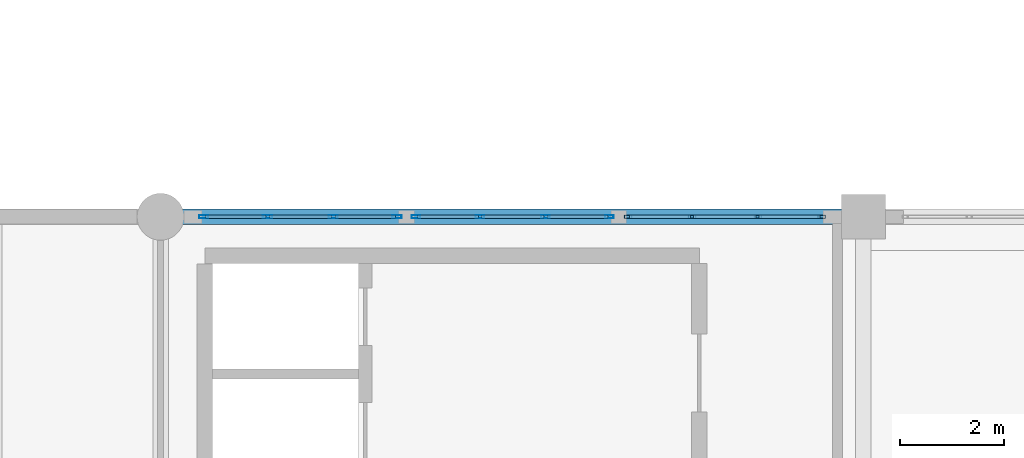
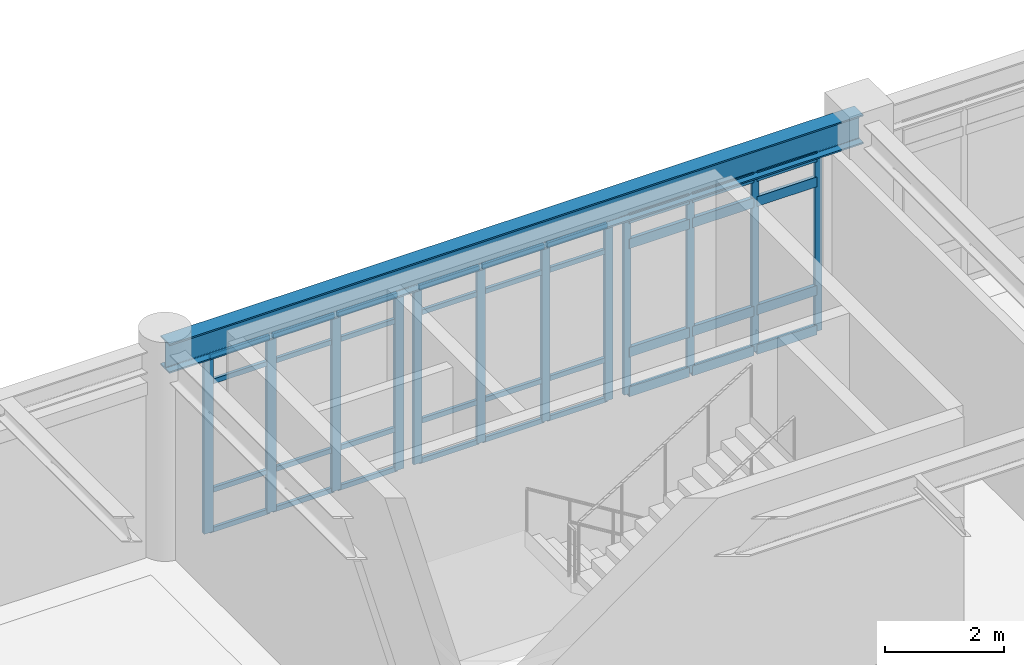
# One storey, part 9 of 55: 48 members, 1 beam, 3 elements without a shape of their own.
"""IFC4 building model written with IfcOpenShell, lengths in metres."""

from ifc_helpers import new_model, si_unit, direction, frame, origin, origin_2d, place, context, subcontext, project, spatial, hollow_rectangle, i_section, extrude, material, layer, layer_set, material_profile, profile_set, type_object, element, aggregate, save


model = new_model("IFC4")

# Units and contexts
model_context = context("Model", 3, precision=1e-05, world=origin(), true_north=direction((0.0, 1.0)))
body_context = subcontext(model_context, "Body", "Model", "MODEL_VIEW")
ifc_project = project(units=[si_unit("LENGTHUNIT", "METRE"), si_unit("AREAUNIT", "SQUARE_METRE"), si_unit("VOLUMEUNIT", "CUBIC_METRE"), si_unit("PLANEANGLEUNIT", "RADIAN"), si_unit("MASSUNIT", "GRAM", prefix="KILO")], contexts=[model_context])

# Site, building, storey
site_placement = place(None, origin())
site = spatial("IfcSite", under=ifc_project, at=site_placement, CompositionType="ELEMENT")
building_placement = place(site_placement, origin())
building = spatial("IfcBuilding", under=site, at=building_placement, Name="Fikremerkos Civic Library", CompositionType="ELEMENT")
storey_placement = place(building_placement, frame((0.0, 0.0, 18.89990234375)))
storey = spatial("IfcBuildingStorey", under=building, at=storey_placement, Name="L04", CompositionType="ELEMENT", Elevation=18.89990234375)

# Curtain wall, members
ifc_material_1 = material(Name="Anodized aluminium Frame", Category="aluminium")
ifc_layer_1 = layer(ifc_material_1, 0.159912109375, Name="Anodized aluminium Frame")
ifc_layer_set_1 = layer_set([ifc_layer_1], Name="Anodized aluminium Frame")
curtain_wall_type_1 = type_object("IfcCurtainWallType", Name="Unitised curtain wall CW-13 3700x3200", PredefinedType="USERDEFINED", material=ifc_layer_set_1)
curtain_wall_1_placement = place(storey_placement, origin())
curtain_wall_1 = element("IfcCurtainWall", 1, at=curtain_wall_1_placement, inside=storey, type_object=curtain_wall_type_1, Name="Unitised curtain wall CW-13 L04 #229", ObjectType="UNITISED CURTAIN WALL", PredefinedType="USERDEFINED")
ifc_material_profile_1 = material_profile(ifc_material_1, hollow_rectangle(XDim=0.06494140625, YDim=0.179931640625, WallThickness=0.00439453125, at=origin_2d()), Name="ALU 180x65x4.5")
ifc_profile_set_1 = profile_set([ifc_material_profile_1], Name="Anodized aluminium Frame")
member_type_1 = type_object("IfcMemberType", Name="Curtain mullion CWM-01 ALU 180x65x4.5", PredefinedType="MULLION", material=ifc_profile_set_1)
member_1_placement = place(storey_placement, frame((20.030517578125, 31.199951171875, 0.0), z_axis=(0.0, 0.0, 1.0), x_axis=(0.0, 1.0, 0.0)))
member_1 = element("IfcMember", 2, at=member_1_placement, type_object=member_type_1, Name="CW-13 mullion 1", PredefinedType="MULLION", context=body_context, shape_type="SweptSolid", body=[
    extrude(hollow_rectangle(XDim=0.06494140625, YDim=0.179931640625, WallThickness=0.00439453125, at=origin_2d()), origin(), (0.0, 0.0, 1.0), 3.630126953125),
])
member_2_placement = place(storey_placement, frame((21.2568359375, 31.199951171875, 0.0), z_axis=(0.0, 0.0, 1.0), x_axis=(0.0, 1.0, 0.0)))
member_2 = element("IfcMember", 3, at=member_2_placement, type_object=member_type_1, Name="CW-13 mullion 2", PredefinedType="MULLION", context=body_context, shape_type="SweptSolid", body=[
    extrude(hollow_rectangle(XDim=0.06494140625, YDim=0.179931640625, WallThickness=0.00439453125, at=origin_2d()), origin(), (0.0, 0.0, 1.0), 3.630126953125),
])
member_3_placement = place(storey_placement, frame((22.515625, 31.199951171875, 0.0), z_axis=(0.0, 0.0, 1.0), x_axis=(0.0, 1.0, 0.0)))
member_3 = element("IfcMember", 4, at=member_3_placement, type_object=member_type_1, Name="CW-13 mullion 3", PredefinedType="MULLION", context=body_context, shape_type="SweptSolid", body=[
    extrude(hollow_rectangle(XDim=0.06494140625, YDim=0.179931640625, WallThickness=0.00439453125, at=origin_2d()), origin(), (0.0, 0.0, 1.0), 3.630126953125),
])
member_4_placement = place(storey_placement, frame((23.741943359375, 31.199951171875, 0.0), z_axis=(0.0, 0.0, 1.0), x_axis=(0.0, 1.0, 0.0)))
member_4 = element("IfcMember", 5, at=member_4_placement, type_object=member_type_1, Name="CW-13 mullion 4", PredefinedType="MULLION", context=body_context, shape_type="SweptSolid", body=[
    extrude(hollow_rectangle(XDim=0.06494140625, YDim=0.179931640625, WallThickness=0.00439453125, at=origin_2d()), origin(), (0.0, 0.0, 1.0), 3.630126953125),
])

ifc_layer_2 = layer(ifc_material_1, 0.159912109375, Name="Anodized aluminium Frame")
ifc_layer_set_2 = layer_set([ifc_layer_2], Name="Anodized aluminium Frame")
curtain_wall_type_2 = type_object("IfcCurtainWallType", Name="Unitised curtain wall CW-14 4100x3200", PredefinedType="USERDEFINED", material=ifc_layer_set_2)
curtain_wall_2_placement = place(storey_placement, origin())
curtain_wall_2 = element("IfcCurtainWall", 6, at=curtain_wall_2_placement, inside=storey, type_object=curtain_wall_type_2, Name="Unitised curtain wall CW-14 L04 #230", ObjectType="UNITISED CURTAIN WALL", PredefinedType="USERDEFINED")
ifc_material_profile_2 = material_profile(ifc_material_1, hollow_rectangle(XDim=0.06005859375, YDim=0.159912109375, WallThickness=0.00390625, at=origin_2d()), Name="ALU 160x60x4")
ifc_profile_set_2 = profile_set([ifc_material_profile_2], Name="Anodized aluminium Frame")
member_type_2 = type_object("IfcMemberType", Name="Curtain mullion CWM-02 ALU 160x60x4", PredefinedType="MULLION", material=ifc_profile_set_2)
member_5_placement = place(storey_placement, frame((24.104248046875, 31.199951171875, 0.0), z_axis=(0.0, 0.0, 1.0), x_axis=(0.0, 1.0, 0.0)))
member_5 = element("IfcMember", 7, at=member_5_placement, type_object=member_type_2, Name="CW-14 mullion 1", PredefinedType="MULLION", context=body_context, shape_type="SweptSolid", body=[
    extrude(hollow_rectangle(XDim=0.06005859375, YDim=0.159912109375, WallThickness=0.00390625, at=origin_2d()), origin(), (0.0, 0.0, 1.0), 3.630126953125),
])
member_6_placement = place(storey_placement, frame((25.3330078125, 31.199951171875, 0.0), z_axis=(0.0, 0.0, 1.0), x_axis=(0.0, 1.0, 0.0)))
member_6 = element("IfcMember", 8, at=member_6_placement, type_object=member_type_2, Name="CW-14 mullion 2", PredefinedType="MULLION", context=body_context, shape_type="SweptSolid", body=[
    extrude(hollow_rectangle(XDim=0.06005859375, YDim=0.159912109375, WallThickness=0.00390625, at=origin_2d()), origin(), (0.0, 0.0, 1.0), 3.630126953125),
])
member_7_placement = place(storey_placement, frame((26.591796875, 31.199951171875, 0.0), z_axis=(0.0, 0.0, 1.0), x_axis=(0.0, 1.0, 0.0)))
member_7 = element("IfcMember", 9, at=member_7_placement, type_object=member_type_2, Name="CW-14 mullion 3", PredefinedType="MULLION", context=body_context, shape_type="SweptSolid", body=[
    extrude(hollow_rectangle(XDim=0.06005859375, YDim=0.159912109375, WallThickness=0.00390625, at=origin_2d()), origin(), (0.0, 0.0, 1.0), 3.630126953125),
])
member_8_placement = place(storey_placement, frame((27.820556640625, 31.199951171875, 0.0), z_axis=(0.0, 0.0, 1.0), x_axis=(0.0, 1.0, 0.0)))
member_8 = element("IfcMember", 10, at=member_8_placement, type_object=member_type_2, Name="CW-14 mullion 4", PredefinedType="MULLION", context=body_context, shape_type="SweptSolid", body=[
    extrude(hollow_rectangle(XDim=0.06005859375, YDim=0.159912109375, WallThickness=0.00390625, at=origin_2d()), origin(), (0.0, 0.0, 1.0), 3.630126953125),
])

ifc_layer_3 = layer(ifc_material_1, 0.159912109375, Name="Anodized aluminium Frame")
ifc_layer_set_3 = layer_set([ifc_layer_3], Name="Anodized aluminium Frame")
curtain_wall_type_3 = type_object("IfcCurtainWallType", Name="Unitised curtain wall CW-15 2900x3600", PredefinedType="USERDEFINED", material=ifc_layer_set_3)
curtain_wall_3_placement = place(storey_placement, origin())
curtain_wall_3 = element("IfcCurtainWall", 11, at=curtain_wall_3_placement, inside=storey, type_object=curtain_wall_type_3, Name="Unitised curtain wall CW-15 L04 #231", ObjectType="UNITISED CURTAIN WALL", PredefinedType="USERDEFINED")
ifc_material_profile_3 = material_profile(ifc_material_1, hollow_rectangle(XDim=0.06005859375, YDim=0.139892578125, WallThickness=0.00390625, at=origin_2d()), Name="ALU 140x60x4")
ifc_profile_set_3 = profile_set([ifc_material_profile_3], Name="Anodized aluminium Frame")
member_type_3 = type_object("IfcMemberType", Name="Curtain mullion CWM-03 ALU 140x60x4", PredefinedType="MULLION", material=ifc_profile_set_3)
member_9_placement = place(storey_placement, frame((28.1806640625, 31.199951171875, 0.0), z_axis=(0.0, 0.0, 1.0), x_axis=(0.0, 1.0, 0.0)))
member_9 = element("IfcMember", 12, at=member_9_placement, type_object=member_type_3, Name="CW-15 mullion 1", PredefinedType="MULLION", context=body_context, shape_type="SweptSolid", body=[
    extrude(hollow_rectangle(XDim=0.06005859375, YDim=0.139892578125, WallThickness=0.00390625, at=origin_2d()), origin(), (0.0, 0.0, 1.0), 3.630126953125),
])
member_10_placement = place(storey_placement, frame((29.409423828125, 31.199951171875, 0.0), z_axis=(0.0, 0.0, 1.0), x_axis=(0.0, 1.0, 0.0)))
member_10 = element("IfcMember", 13, at=member_10_placement, type_object=member_type_3, Name="CW-15 mullion 2", PredefinedType="MULLION", context=body_context, shape_type="SweptSolid", body=[
    extrude(hollow_rectangle(XDim=0.06005859375, YDim=0.139892578125, WallThickness=0.00390625, at=origin_2d()), origin(), (0.0, 0.0, 1.0), 3.630126953125),
])
member_11_placement = place(storey_placement, frame((30.668212890625, 31.199951171875, 0.0), z_axis=(0.0, 0.0, 1.0), x_axis=(0.0, 1.0, 0.0)))
member_11 = element("IfcMember", 14, at=member_11_placement, type_object=member_type_3, Name="CW-15 mullion 3", PredefinedType="MULLION", context=body_context, shape_type="SweptSolid", body=[
    extrude(hollow_rectangle(XDim=0.06005859375, YDim=0.139892578125, WallThickness=0.00390625, at=origin_2d()), origin(), (0.0, 0.0, 1.0), 3.630126953125),
])
member_12_placement = place(storey_placement, frame((31.89697265625, 31.199951171875, 0.0), z_axis=(0.0, 0.0, 1.0), x_axis=(0.0, 1.0, 0.0)))
member_12 = element("IfcMember", 15, at=member_12_placement, type_object=member_type_3, Name="CW-15 mullion 4", PredefinedType="MULLION", context=body_context, shape_type="SweptSolid", body=[
    extrude(hollow_rectangle(XDim=0.06005859375, YDim=0.139892578125, WallThickness=0.00390625, at=origin_2d()), origin(), (0.0, 0.0, 1.0), 3.630126953125),
])

# Member
ifc_material_profile_4 = material_profile(ifc_material_1, hollow_rectangle(XDim=0.06005859375, YDim=0.10009765625, WallThickness=0.00390625, at=origin_2d()), Name="ALU 100x60x4")
ifc_profile_set_4 = profile_set([ifc_material_profile_4], Name="Anodized aluminium Frame")
member_type_4 = type_object("IfcMemberType", Name="Curtain transom CWT-03 ALU 100x60x4", PredefinedType="USERDEFINED", material=ifc_profile_set_4)
member_13_placement = place(storey_placement, frame((20.06298828125, 31.199951171875, 0.030029296875), z_axis=(1.0, 0.0, 0.0), x_axis=(0.0, 1.0, 0.0)))
member_13 = element("IfcMember", 16, at=member_13_placement, type_object=member_type_4, Name="CW-13 transom 1.1", ObjectType="TRANSOM", PredefinedType="USERDEFINED", context=body_context, shape_type="SweptSolid", body=[
    extrude(hollow_rectangle(XDim=0.06005859375, YDim=0.10009765625, WallThickness=0.00390625, at=origin_2d()), origin(), (0.0, 0.0, 1.0), 1.161376953125),
])

member_14_placement = place(storey_placement, frame((20.06298828125, 31.199951171875, 0.85009765625), z_axis=(1.0, 0.0, 0.0), x_axis=(0.0, 1.0, 0.0)))
member_14 = element("IfcMember", 17, at=member_14_placement, type_object=member_type_4, Name="CW-13 transom 1.2", ObjectType="TRANSOM", PredefinedType="USERDEFINED", context=body_context, shape_type="SweptSolid", body=[
    extrude(hollow_rectangle(XDim=0.06005859375, YDim=0.10009765625, WallThickness=0.00390625, at=origin_2d()), origin(), (0.0, 0.0, 1.0), 1.161376953125),
])

member_15_placement = place(storey_placement, frame((20.06298828125, 31.199951171875, 3.080078125), z_axis=(1.0, 0.0, 0.0), x_axis=(0.0, 1.0, 0.0)))
member_15 = element("IfcMember", 18, at=member_15_placement, type_object=member_type_4, Name="CW-13 transom 1.3", ObjectType="TRANSOM", PredefinedType="USERDEFINED", context=body_context, shape_type="SweptSolid", body=[
    extrude(hollow_rectangle(XDim=0.06005859375, YDim=0.10009765625, WallThickness=0.00390625, at=origin_2d()), origin(), (0.0, 0.0, 1.0), 1.161376953125),
])

member_16_placement = place(storey_placement, frame((20.06298828125, 31.199951171875, 3.60009765625), z_axis=(1.0, 0.0, 0.0), x_axis=(0.0, 1.0, 0.0)))
member_16 = element("IfcMember", 19, at=member_16_placement, type_object=member_type_4, Name="CW-13 transom 1.4", ObjectType="TRANSOM", PredefinedType="USERDEFINED", context=body_context, shape_type="SweptSolid", body=[
    extrude(hollow_rectangle(XDim=0.06005859375, YDim=0.10009765625, WallThickness=0.00390625, at=origin_2d()), origin(), (0.0, 0.0, 1.0), 1.161376953125),
])

member_17_placement = place(storey_placement, frame((21.289306640625, 31.199951171875, 0.030029296875), z_axis=(1.0, 0.0, 0.0), x_axis=(0.0, 1.0, 0.0)))
member_17 = element("IfcMember", 20, at=member_17_placement, type_object=member_type_4, Name="CW-13 transom 2.1", ObjectType="TRANSOM", PredefinedType="USERDEFINED", context=body_context, shape_type="SweptSolid", body=[
    extrude(hollow_rectangle(XDim=0.06005859375, YDim=0.10009765625, WallThickness=0.00390625, at=origin_2d()), origin(), (0.0, 0.0, 1.0), 1.19384765625),
])

member_18_placement = place(storey_placement, frame((21.289306640625, 31.199951171875, 0.85009765625), z_axis=(1.0, 0.0, 0.0), x_axis=(0.0, 1.0, 0.0)))
member_18 = element("IfcMember", 21, at=member_18_placement, type_object=member_type_4, Name="CW-13 transom 2.2", ObjectType="TRANSOM", PredefinedType="USERDEFINED", context=body_context, shape_type="SweptSolid", body=[
    extrude(hollow_rectangle(XDim=0.06005859375, YDim=0.10009765625, WallThickness=0.00390625, at=origin_2d()), origin(), (0.0, 0.0, 1.0), 1.19384765625),
])

member_19_placement = place(storey_placement, frame((21.289306640625, 31.199951171875, 3.080078125), z_axis=(1.0, 0.0, 0.0), x_axis=(0.0, 1.0, 0.0)))
member_19 = element("IfcMember", 22, at=member_19_placement, type_object=member_type_4, Name="CW-13 transom 2.3", ObjectType="TRANSOM", PredefinedType="USERDEFINED", context=body_context, shape_type="SweptSolid", body=[
    extrude(hollow_rectangle(XDim=0.06005859375, YDim=0.10009765625, WallThickness=0.00390625, at=origin_2d()), origin(), (0.0, 0.0, 1.0), 1.19384765625),
])

member_20_placement = place(storey_placement, frame((21.289306640625, 31.199951171875, 3.60009765625), z_axis=(1.0, 0.0, 0.0), x_axis=(0.0, 1.0, 0.0)))
member_20 = element("IfcMember", 23, at=member_20_placement, type_object=member_type_4, Name="CW-13 transom 2.4", ObjectType="TRANSOM", PredefinedType="USERDEFINED", context=body_context, shape_type="SweptSolid", body=[
    extrude(hollow_rectangle(XDim=0.06005859375, YDim=0.10009765625, WallThickness=0.00390625, at=origin_2d()), origin(), (0.0, 0.0, 1.0), 1.19384765625),
])

member_21_placement = place(storey_placement, frame((22.548095703125, 31.199951171875, 0.030029296875), z_axis=(1.0, 0.0, 0.0), x_axis=(0.0, 1.0, 0.0)))
member_21 = element("IfcMember", 24, at=member_21_placement, type_object=member_type_4, Name="CW-13 transom 3.1", ObjectType="TRANSOM", PredefinedType="USERDEFINED", context=body_context, shape_type="SweptSolid", body=[
    extrude(hollow_rectangle(XDim=0.06005859375, YDim=0.10009765625, WallThickness=0.00390625, at=origin_2d()), origin(), (0.0, 0.0, 1.0), 1.1611328125),
])

member_22_placement = place(storey_placement, frame((22.548095703125, 31.199951171875, 0.85009765625), z_axis=(1.0, 0.0, 0.0), x_axis=(0.0, 1.0, 0.0)))
member_22 = element("IfcMember", 25, at=member_22_placement, type_object=member_type_4, Name="CW-13 transom 3.2", ObjectType="TRANSOM", PredefinedType="USERDEFINED", context=body_context, shape_type="SweptSolid", body=[
    extrude(hollow_rectangle(XDim=0.06005859375, YDim=0.10009765625, WallThickness=0.00390625, at=origin_2d()), origin(), (0.0, 0.0, 1.0), 1.1611328125),
])

member_23_placement = place(storey_placement, frame((22.548095703125, 31.199951171875, 3.080078125), z_axis=(1.0, 0.0, 0.0), x_axis=(0.0, 1.0, 0.0)))
member_23 = element("IfcMember", 26, at=member_23_placement, type_object=member_type_4, Name="CW-13 transom 3.3", ObjectType="TRANSOM", PredefinedType="USERDEFINED", context=body_context, shape_type="SweptSolid", body=[
    extrude(hollow_rectangle(XDim=0.06005859375, YDim=0.10009765625, WallThickness=0.00390625, at=origin_2d()), origin(), (0.0, 0.0, 1.0), 1.1611328125),
])

member_24_placement = place(storey_placement, frame((22.548095703125, 31.199951171875, 3.60009765625), z_axis=(1.0, 0.0, 0.0), x_axis=(0.0, 1.0, 0.0)))
member_24 = element("IfcMember", 27, at=member_24_placement, type_object=member_type_4, Name="CW-13 transom 3.4", ObjectType="TRANSOM", PredefinedType="USERDEFINED", context=body_context, shape_type="SweptSolid", body=[
    extrude(hollow_rectangle(XDim=0.06005859375, YDim=0.10009765625, WallThickness=0.00390625, at=origin_2d()), origin(), (0.0, 0.0, 1.0), 1.1611328125),
])

aggregate(curtain_wall_1, [member_1, member_2, member_3, member_4, member_13, member_14, member_15, member_16, member_17, member_18, member_19, member_20, member_21, member_22, member_23, member_24])

member_25_placement = place(storey_placement, frame((24.13427734375, 31.199951171875, 0.030029296875), z_axis=(1.0, 0.0, 0.0), x_axis=(0.0, 1.0, 0.0)))
member_25 = element("IfcMember", 28, at=member_25_placement, type_object=member_type_4, Name="CW-14 transom 1.1", ObjectType="TRANSOM", PredefinedType="USERDEFINED", context=body_context, shape_type="SweptSolid", body=[
    extrude(hollow_rectangle(XDim=0.06005859375, YDim=0.10009765625, WallThickness=0.00390625, at=origin_2d()), origin(), (0.0, 0.0, 1.0), 1.1689453125),
])

member_26_placement = place(storey_placement, frame((24.13427734375, 31.199951171875, 0.85009765625), z_axis=(1.0, 0.0, 0.0), x_axis=(0.0, 1.0, 0.0)))
member_26 = element("IfcMember", 29, at=member_26_placement, type_object=member_type_4, Name="CW-14 transom 1.2", ObjectType="TRANSOM", PredefinedType="USERDEFINED", context=body_context, shape_type="SweptSolid", body=[
    extrude(hollow_rectangle(XDim=0.06005859375, YDim=0.10009765625, WallThickness=0.00390625, at=origin_2d()), origin(), (0.0, 0.0, 1.0), 1.1689453125),
])

member_27_placement = place(storey_placement, frame((24.13427734375, 31.199951171875, 3.080078125), z_axis=(1.0, 0.0, 0.0), x_axis=(0.0, 1.0, 0.0)))
member_27 = element("IfcMember", 30, at=member_27_placement, type_object=member_type_4, Name="CW-14 transom 1.3", ObjectType="TRANSOM", PredefinedType="USERDEFINED", context=body_context, shape_type="SweptSolid", body=[
    extrude(hollow_rectangle(XDim=0.06005859375, YDim=0.10009765625, WallThickness=0.00390625, at=origin_2d()), origin(), (0.0, 0.0, 1.0), 1.1689453125),
])

member_28_placement = place(storey_placement, frame((24.13427734375, 31.199951171875, 3.60009765625), z_axis=(1.0, 0.0, 0.0), x_axis=(0.0, 1.0, 0.0)))
member_28 = element("IfcMember", 31, at=member_28_placement, type_object=member_type_4, Name="CW-14 transom 1.4", ObjectType="TRANSOM", PredefinedType="USERDEFINED", context=body_context, shape_type="SweptSolid", body=[
    extrude(hollow_rectangle(XDim=0.06005859375, YDim=0.10009765625, WallThickness=0.00390625, at=origin_2d()), origin(), (0.0, 0.0, 1.0), 1.1689453125),
])

member_29_placement = place(storey_placement, frame((25.363037109375, 31.199951171875, 0.030029296875), z_axis=(1.0, 0.0, 0.0), x_axis=(0.0, 1.0, 0.0)))
member_29 = element("IfcMember", 32, at=member_29_placement, type_object=member_type_4, Name="CW-14 transom 2.1", ObjectType="TRANSOM", PredefinedType="USERDEFINED", context=body_context, shape_type="SweptSolid", body=[
    extrude(hollow_rectangle(XDim=0.06005859375, YDim=0.10009765625, WallThickness=0.00390625, at=origin_2d()), origin(), (0.0, 0.0, 1.0), 1.198974609375),
])

member_30_placement = place(storey_placement, frame((25.363037109375, 31.199951171875, 0.85009765625), z_axis=(1.0, 0.0, 0.0), x_axis=(0.0, 1.0, 0.0)))
member_30 = element("IfcMember", 33, at=member_30_placement, type_object=member_type_4, Name="CW-14 transom 2.2", ObjectType="TRANSOM", PredefinedType="USERDEFINED", context=body_context, shape_type="SweptSolid", body=[
    extrude(hollow_rectangle(XDim=0.06005859375, YDim=0.10009765625, WallThickness=0.00390625, at=origin_2d()), origin(), (0.0, 0.0, 1.0), 1.198974609375),
])

member_31_placement = place(storey_placement, frame((25.363037109375, 31.199951171875, 3.080078125), z_axis=(1.0, 0.0, 0.0), x_axis=(0.0, 1.0, 0.0)))
member_31 = element("IfcMember", 34, at=member_31_placement, type_object=member_type_4, Name="CW-14 transom 2.3", ObjectType="TRANSOM", PredefinedType="USERDEFINED", context=body_context, shape_type="SweptSolid", body=[
    extrude(hollow_rectangle(XDim=0.06005859375, YDim=0.10009765625, WallThickness=0.00390625, at=origin_2d()), origin(), (0.0, 0.0, 1.0), 1.198974609375),
])

member_32_placement = place(storey_placement, frame((25.363037109375, 31.199951171875, 3.60009765625), z_axis=(1.0, 0.0, 0.0), x_axis=(0.0, 1.0, 0.0)))
member_32 = element("IfcMember", 35, at=member_32_placement, type_object=member_type_4, Name="CW-14 transom 2.4", ObjectType="TRANSOM", PredefinedType="USERDEFINED", context=body_context, shape_type="SweptSolid", body=[
    extrude(hollow_rectangle(XDim=0.06005859375, YDim=0.10009765625, WallThickness=0.00390625, at=origin_2d()), origin(), (0.0, 0.0, 1.0), 1.198974609375),
])

member_33_placement = place(storey_placement, frame((26.621826171875, 31.199951171875, 0.030029296875), z_axis=(1.0, 0.0, 0.0), x_axis=(0.0, 1.0, 0.0)))
member_33 = element("IfcMember", 36, at=member_33_placement, type_object=member_type_4, Name="CW-14 transom 3.1", ObjectType="TRANSOM", PredefinedType="USERDEFINED", context=body_context, shape_type="SweptSolid", body=[
    extrude(hollow_rectangle(XDim=0.06005859375, YDim=0.10009765625, WallThickness=0.00390625, at=origin_2d()), origin(), (0.0, 0.0, 1.0), 1.1689453125),
])

member_34_placement = place(storey_placement, frame((26.621826171875, 31.199951171875, 0.85009765625), z_axis=(1.0, 0.0, 0.0), x_axis=(0.0, 1.0, 0.0)))
member_34 = element("IfcMember", 37, at=member_34_placement, type_object=member_type_4, Name="CW-14 transom 3.2", ObjectType="TRANSOM", PredefinedType="USERDEFINED", context=body_context, shape_type="SweptSolid", body=[
    extrude(hollow_rectangle(XDim=0.06005859375, YDim=0.10009765625, WallThickness=0.00390625, at=origin_2d()), origin(), (0.0, 0.0, 1.0), 1.1689453125),
])

member_35_placement = place(storey_placement, frame((26.621826171875, 31.199951171875, 3.080078125), z_axis=(1.0, 0.0, 0.0), x_axis=(0.0, 1.0, 0.0)))
member_35 = element("IfcMember", 38, at=member_35_placement, type_object=member_type_4, Name="CW-14 transom 3.3", ObjectType="TRANSOM", PredefinedType="USERDEFINED", context=body_context, shape_type="SweptSolid", body=[
    extrude(hollow_rectangle(XDim=0.06005859375, YDim=0.10009765625, WallThickness=0.00390625, at=origin_2d()), origin(), (0.0, 0.0, 1.0), 1.1689453125),
])

member_36_placement = place(storey_placement, frame((26.621826171875, 31.199951171875, 3.60009765625), z_axis=(1.0, 0.0, 0.0), x_axis=(0.0, 1.0, 0.0)))
member_36 = element("IfcMember", 39, at=member_36_placement, type_object=member_type_4, Name="CW-14 transom 3.4", ObjectType="TRANSOM", PredefinedType="USERDEFINED", context=body_context, shape_type="SweptSolid", body=[
    extrude(hollow_rectangle(XDim=0.06005859375, YDim=0.10009765625, WallThickness=0.00390625, at=origin_2d()), origin(), (0.0, 0.0, 1.0), 1.1689453125),
])

aggregate(curtain_wall_2, [member_5, member_6, member_7, member_8, member_25, member_26, member_27, member_28, member_29, member_30, member_31, member_32, member_33, member_34, member_35, member_36])

ifc_material_profile_5 = material_profile(ifc_material_1, hollow_rectangle(XDim=0.070068359375, YDim=0.199951171875, WallThickness=0.0048828125, at=origin_2d()), Name="ALU 200x70x5")
ifc_profile_set_5 = profile_set([ifc_material_profile_5], Name="Anodized aluminium Frame")
member_type_5 = type_object("IfcMemberType", Name="Curtain transom CWT-04 ALU 200x70x5", PredefinedType="USERDEFINED", material=ifc_profile_set_5)
member_37_placement = place(storey_placement, frame((28.210693359375, 31.199951171875, 0.03515625), z_axis=(1.0, 0.0, 0.0), x_axis=(0.0, 1.0, 0.0)))
member_37 = element("IfcMember", 40, at=member_37_placement, type_object=member_type_5, Name="CW-15 transom 1.1", ObjectType="TRANSOM", PredefinedType="USERDEFINED", context=body_context, shape_type="SweptSolid", body=[
    extrude(hollow_rectangle(XDim=0.070068359375, YDim=0.199951171875, WallThickness=0.0048828125, at=origin_2d()), origin(), (0.0, 0.0, 1.0), 1.168701171875),
])

member_38_placement = place(storey_placement, frame((28.210693359375, 31.199951171875, 0.85009765625), z_axis=(1.0, 0.0, 0.0), x_axis=(0.0, 1.0, 0.0)))
member_38 = element("IfcMember", 41, at=member_38_placement, type_object=member_type_5, Name="CW-15 transom 1.2", ObjectType="TRANSOM", PredefinedType="USERDEFINED", context=body_context, shape_type="SweptSolid", body=[
    extrude(hollow_rectangle(XDim=0.070068359375, YDim=0.199951171875, WallThickness=0.0048828125, at=origin_2d()), origin(), (0.0, 0.0, 1.0), 1.168701171875),
])

member_39_placement = place(storey_placement, frame((28.210693359375, 31.199951171875, 3.080078125), z_axis=(1.0, 0.0, 0.0), x_axis=(0.0, 1.0, 0.0)))
member_39 = element("IfcMember", 42, at=member_39_placement, type_object=member_type_5, Name="CW-15 transom 1.3", ObjectType="TRANSOM", PredefinedType="USERDEFINED", context=body_context, shape_type="SweptSolid", body=[
    extrude(hollow_rectangle(XDim=0.070068359375, YDim=0.199951171875, WallThickness=0.0048828125, at=origin_2d()), origin(), (0.0, 0.0, 1.0), 1.168701171875),
])

member_40_placement = place(storey_placement, frame((28.210693359375, 31.199951171875, 3.59521484375), z_axis=(1.0, 0.0, 0.0), x_axis=(0.0, 1.0, 0.0)))
member_40 = element("IfcMember", 43, at=member_40_placement, type_object=member_type_5, Name="CW-15 transom 1.4", ObjectType="TRANSOM", PredefinedType="USERDEFINED", context=body_context, shape_type="SweptSolid", body=[
    extrude(hollow_rectangle(XDim=0.070068359375, YDim=0.199951171875, WallThickness=0.0048828125, at=origin_2d()), origin(), (0.0, 0.0, 1.0), 1.168701171875),
])

member_41_placement = place(storey_placement, frame((29.439453125, 31.199951171875, 0.03515625), z_axis=(1.0, 0.0, 0.0), x_axis=(0.0, 1.0, 0.0)))
member_41 = element("IfcMember", 44, at=member_41_placement, type_object=member_type_5, Name="CW-15 transom 2.1", ObjectType="TRANSOM", PredefinedType="USERDEFINED", context=body_context, shape_type="SweptSolid", body=[
    extrude(hollow_rectangle(XDim=0.070068359375, YDim=0.199951171875, WallThickness=0.0048828125, at=origin_2d()), origin(), (0.0, 0.0, 1.0), 1.19873046875),
])

member_42_placement = place(storey_placement, frame((29.439453125, 31.199951171875, 0.85009765625), z_axis=(1.0, 0.0, 0.0), x_axis=(0.0, 1.0, 0.0)))
member_42 = element("IfcMember", 45, at=member_42_placement, type_object=member_type_5, Name="CW-15 transom 2.2", ObjectType="TRANSOM", PredefinedType="USERDEFINED", context=body_context, shape_type="SweptSolid", body=[
    extrude(hollow_rectangle(XDim=0.070068359375, YDim=0.199951171875, WallThickness=0.0048828125, at=origin_2d()), origin(), (0.0, 0.0, 1.0), 1.19873046875),
])

member_43_placement = place(storey_placement, frame((29.439453125, 31.199951171875, 3.080078125), z_axis=(1.0, 0.0, 0.0), x_axis=(0.0, 1.0, 0.0)))
member_43 = element("IfcMember", 46, at=member_43_placement, type_object=member_type_5, Name="CW-15 transom 2.3", ObjectType="TRANSOM", PredefinedType="USERDEFINED", context=body_context, shape_type="SweptSolid", body=[
    extrude(hollow_rectangle(XDim=0.070068359375, YDim=0.199951171875, WallThickness=0.0048828125, at=origin_2d()), origin(), (0.0, 0.0, 1.0), 1.19873046875),
])

member_44_placement = place(storey_placement, frame((29.439453125, 31.199951171875, 3.59521484375), z_axis=(1.0, 0.0, 0.0), x_axis=(0.0, 1.0, 0.0)))
member_44 = element("IfcMember", 47, at=member_44_placement, type_object=member_type_5, Name="CW-15 transom 2.4", ObjectType="TRANSOM", PredefinedType="USERDEFINED", context=body_context, shape_type="SweptSolid", body=[
    extrude(hollow_rectangle(XDim=0.070068359375, YDim=0.199951171875, WallThickness=0.0048828125, at=origin_2d()), origin(), (0.0, 0.0, 1.0), 1.19873046875),
])

member_45_placement = place(storey_placement, frame((30.6982421875, 31.199951171875, 0.03515625), z_axis=(1.0, 0.0, 0.0), x_axis=(0.0, 1.0, 0.0)))
member_45 = element("IfcMember", 48, at=member_45_placement, type_object=member_type_5, Name="CW-15 transom 3.1", ObjectType="TRANSOM", PredefinedType="USERDEFINED", context=body_context, shape_type="SweptSolid", body=[
    extrude(hollow_rectangle(XDim=0.070068359375, YDim=0.199951171875, WallThickness=0.0048828125, at=origin_2d()), origin(), (0.0, 0.0, 1.0), 1.168701171875),
])

member_46_placement = place(storey_placement, frame((30.6982421875, 31.199951171875, 0.85009765625), z_axis=(1.0, 0.0, 0.0), x_axis=(0.0, 1.0, 0.0)))
member_46 = element("IfcMember", 49, at=member_46_placement, type_object=member_type_5, Name="CW-15 transom 3.2", ObjectType="TRANSOM", PredefinedType="USERDEFINED", context=body_context, shape_type="SweptSolid", body=[
    extrude(hollow_rectangle(XDim=0.070068359375, YDim=0.199951171875, WallThickness=0.0048828125, at=origin_2d()), origin(), (0.0, 0.0, 1.0), 1.168701171875),
])

member_47_placement = place(storey_placement, frame((30.6982421875, 31.199951171875, 3.080078125), z_axis=(1.0, 0.0, 0.0), x_axis=(0.0, 1.0, 0.0)))
member_47 = element("IfcMember", 50, at=member_47_placement, type_object=member_type_5, Name="CW-15 transom 3.3", ObjectType="TRANSOM", PredefinedType="USERDEFINED", context=body_context, shape_type="SweptSolid", body=[
    extrude(hollow_rectangle(XDim=0.070068359375, YDim=0.199951171875, WallThickness=0.0048828125, at=origin_2d()), origin(), (0.0, 0.0, 1.0), 1.168701171875),
])

member_48_placement = place(storey_placement, frame((30.6982421875, 31.199951171875, 3.59521484375), z_axis=(1.0, 0.0, 0.0), x_axis=(0.0, 1.0, 0.0)))
member_48 = element("IfcMember", 51, at=member_48_placement, type_object=member_type_5, Name="CW-15 transom 3.4", ObjectType="TRANSOM", PredefinedType="USERDEFINED", context=body_context, shape_type="SweptSolid", body=[
    extrude(hollow_rectangle(XDim=0.070068359375, YDim=0.199951171875, WallThickness=0.0048828125, at=origin_2d()), origin(), (0.0, 0.0, 1.0), 1.168701171875),
])

aggregate(curtain_wall_3, [member_9, member_10, member_11, member_12, member_37, member_38, member_39, member_40, member_41, member_42, member_43, member_44, member_45, member_46, member_47, member_48])

# Beam
ifc_material_2 = material(Name="Steel S355", Category="steel")
ifc_material_profile_6 = material_profile(ifc_material_2, i_section(OverallWidth=0.300048828125, OverallDepth=0.60009765625, WebThickness=0.015380859375, FlangeThickness=0.030029296875, FilletRadius=0.027099609375, at=origin_2d()), Name="HEB 600")
ifc_profile_set_6 = profile_set([ifc_material_profile_6], Name="Steel S355")
beam_type = type_object("IfcBeamType", Name="Primary girder BM-13 HEB 600", PredefinedType="BEAM", material=ifc_profile_set_6)
beam_placement = place(storey_placement, frame((19.199951171875, 31.199951171875, 3.940185546875), z_axis=(1.0, 0.0, 0.0), x_axis=(0.0, 1.0, 0.0)))
element("IfcBeam", 52, at=beam_placement, inside=storey, type_object=beam_type, Name="Primary girder BM-13 L04 grid G", PredefinedType="BEAM", context=body_context, shape_type="SweptSolid", body=[
    extrude(i_section(OverallWidth=0.300048828125, OverallDepth=0.60009765625, WebThickness=0.015380859375, FlangeThickness=0.030029296875, FilletRadius=0.027099609375, at=origin_2d()), origin(), (0.0, 0.0, 1.0), 13.5),
])

save(model, "model.ifc")
